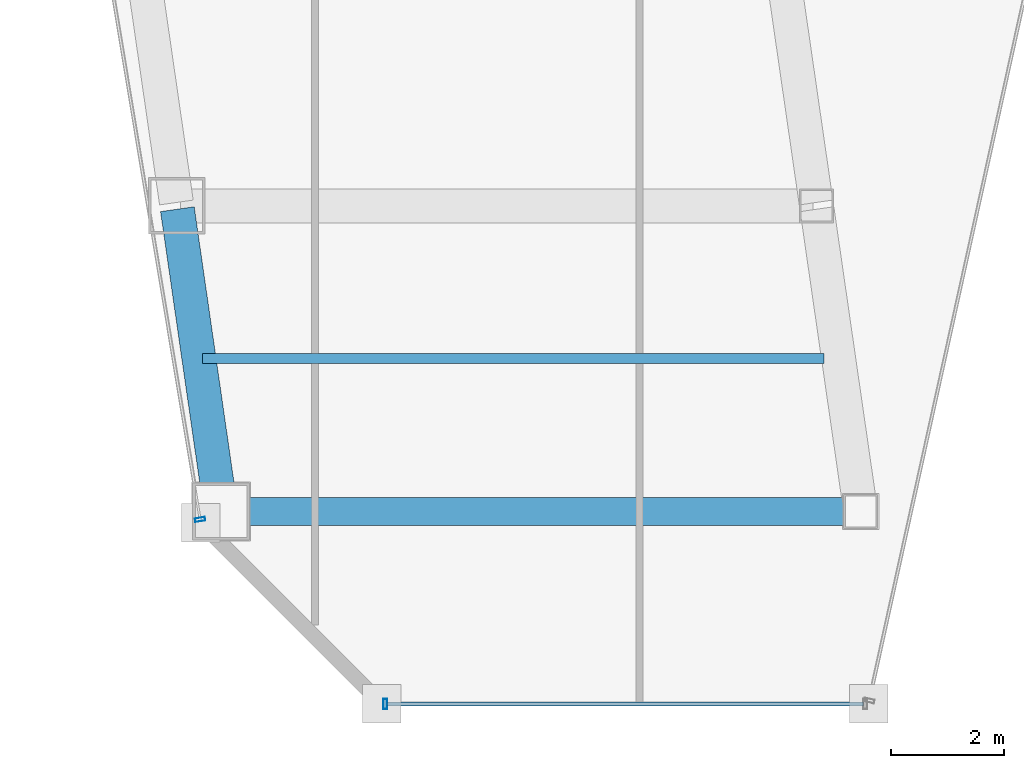
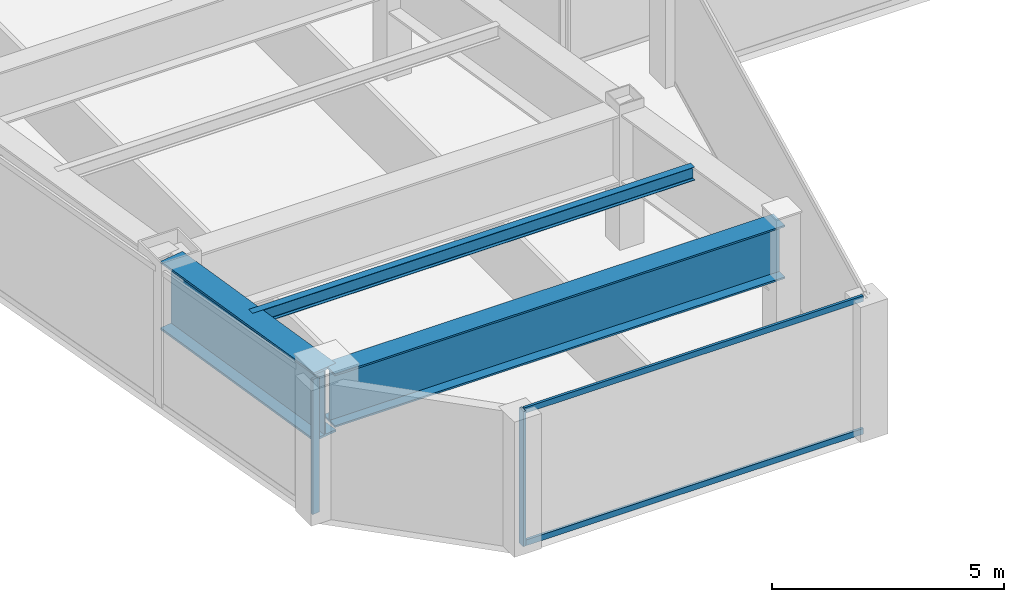
# One storey, part 2 of 37: 4 members, 3 beams, 2 elements without a shape of their own.
"""IFC4 building model written with IfcOpenShell, lengths in metres."""

from ifc_helpers import new_model, si_unit, direction, frame, origin, origin_2d, place, context, subcontext, project, spatial, hollow_rectangle, i_section, extrude, material, material_profile, profile_set, type_object, element, aggregate, save


model = new_model("IFC4")

# Units and contexts
model_context = context("Model", 3, precision=1e-05, world=origin(), true_north=direction((0.0, 1.0)))
body_context = subcontext(model_context, "Body", "Model", "MODEL_VIEW")
ifc_project = project(units=[si_unit("LENGTHUNIT", "METRE"), si_unit("AREAUNIT", "SQUARE_METRE"), si_unit("VOLUMEUNIT", "CUBIC_METRE"), si_unit("PLANEANGLEUNIT", "RADIAN"), si_unit("MASSUNIT", "GRAM", prefix="KILO")], contexts=[model_context])

# Site, building, storey
site_placement = place(None, origin())
site = spatial("IfcSite", under=ifc_project, at=site_placement, CompositionType="ELEMENT")
building_placement = place(site_placement, origin())
building = spatial("IfcBuilding", under=site, at=building_placement, Name="Saevonmaru Cultural Tower", CompositionType="ELEMENT")
storey_placement = place(building_placement, frame((0.0, 0.0, 163.800048828125)))
storey = spatial("IfcBuildingStorey", under=building, at=storey_placement, Name="L36", CompositionType="ELEMENT", Elevation=163.800048828125)

# Beams
ifc_material_1 = material(Name="Steel SM355", Category="steel")
ifc_material_profile_1 = material_profile(ifc_material_1, i_section(OverallWidth=0.175048828125, OverallDepth=0.35009765625, WebThickness=0.007080078125, FlangeThickness=0.010986328125, FilletRadius=0.012939453125, at=origin_2d()), Name="H-350x175x7x11")
ifc_profile_set_1 = profile_set([ifc_material_profile_1], Name="Steel SM355")
beam_type_1 = type_object("IfcBeamType", Name="BM-J-H350", PredefinedType="JOIST", material=ifc_profile_set_1)
beam_1_placement = place(storey_placement, frame((11.077880859375, 13.300048828125, 3.375), z_axis=(1.0, 0.0, 0.0), x_axis=(0.0, 1.0, 0.0)))
element("IfcBeam", 1, at=beam_1_placement, inside=storey, type_object=beam_type_1, Name="L36 West Wing Floor Joist 1", PredefinedType="JOIST", context=body_context, shape_type="SweptSolid", body=[
    extrude(i_section(OverallWidth=0.175048828125, OverallDepth=0.35009765625, WebThickness=0.007080078125, FlangeThickness=0.010986328125, FilletRadius=0.012939453125, at=origin_2d()), origin(), (0.0, 0.0, 1.0), 10.982177734375),
])
ifc_material_2 = material(Name="Steel HSA600 (600 MPa)", Category="steel")
ifc_material_profile_2 = material_profile(ifc_material_2, i_section(OverallWidth=0.5, OverallDepth=1.39990234375, WebThickness=0.02392578125, FlangeThickness=0.044921875, at=origin_2d()), Name="PG-1400x500x24x45")
ifc_profile_set_2 = profile_set([ifc_material_profile_2], Name="Steel HSA600 (600 MPa)")
beam_type_2 = type_object("IfcBeamType", Name="BM-TG-PG1400", PredefinedType="BEAM", material=ifc_profile_set_2)
beam_2_placement = place(storey_placement, frame((11.468017578125, 10.60009765625, 2.849853515625), z_axis=(1.0, 0.0, 0.0), x_axis=(0.0, 1.0, 0.0)))
element("IfcBeam", 2, at=beam_2_placement, inside=storey, type_object=beam_type_2, Name="L36 West Wing Transverse Girder 1", PredefinedType="BEAM", context=body_context, shape_type="SweptSolid", body=[
    extrude(i_section(OverallWidth=0.5, OverallDepth=1.39990234375, WebThickness=0.02392578125, FlangeThickness=0.044921875, at=origin_2d()), origin(), (0.0, 0.0, 1.0), 11.179931640625),
])
ifc_material_profile_3 = material_profile(ifc_material_2, i_section(OverallWidth=0.60009765625, OverallDepth=1.800048828125, WebThickness=0.028076171875, FlangeThickness=0.054931640625, at=origin_2d()), Name="PG-1800x600x28x55")
ifc_profile_set_3 = profile_set([ifc_material_profile_3], Name="Steel HSA600 (600 MPa)")
beam_type_3 = type_object("IfcBeamType", Name="BM-TG-PG1800-EXT", PredefinedType="SPANDREL", material=ifc_profile_set_3)
beam_3_placement = place(storey_placement, frame((11.3994140625, 10.659423828125, 2.64990234375), z_axis=(-0.1429328758, 0.989732384544, 0.0), x_axis=(-0.989732384544, -0.1429328758, 0.0)))
element("IfcBeam", 3, at=beam_3_placement, inside=storey, type_object=beam_type_3, Name="L36 West Splayed Spandrel 1", PredefinedType="SPANDREL", context=body_context, shape_type="SweptSolid", body=[
    extrude(i_section(OverallWidth=0.60009765625, OverallDepth=1.800048828125, WebThickness=0.028076171875, FlangeThickness=0.054931640625, at=origin_2d()), origin(), (0.0, 0.0, 1.0), 5.3359375),
])

# Curtain wall, member
ifc_material_3 = material(Name="Satin Bronze Anodised Aluminium", Category="aluminium")
curtain_wall_type = type_object("IfcCurtainWallType", Name="CW-TYP-A", PredefinedType="NOTDEFINED", material=ifc_material_3)
curtain_wall_1_placement = place(storey_placement, origin())
curtain_wall_1 = element("IfcCurtainWall", 4, at=curtain_wall_1_placement, inside=storey, type_object=curtain_wall_type, Name="L36 Unitised Curtain Wall E2", PredefinedType="NOTDEFINED")
ifc_material_profile_4 = material_profile(ifc_material_3, hollow_rectangle(XDim=0.06494140625, YDim=0.179931640625, WallThickness=0.00390625, at=origin_2d()), Name="ALU-MULL-180x65x4")
ifc_profile_set_4 = profile_set([ifc_material_profile_4], Name="Satin Bronze Anodised Aluminium")
member_type_1 = type_object("IfcMemberType", Name="ML-CW-180x65", PredefinedType="MULLION", material=ifc_profile_set_4)
member_1_placement = place(storey_placement, frame((14.308837890625, 7.199951171875, 0.0), z_axis=(0.0, 0.0, 1.0), x_axis=(1.0, 0.0, 0.0)))
member_1 = element("IfcMember", 5, at=member_1_placement, type_object=member_type_1, Name="CW-TW-L36-E2 mullion 1", PredefinedType="MULLION", context=body_context, shape_type="SweptSolid", body=[
    extrude(hollow_rectangle(XDim=0.06494140625, YDim=0.179931640625, WallThickness=0.00390625, at=origin_2d()), origin(), (0.0, 0.0, 1.0), 3.550048828125),
])

curtain_wall_2_placement = place(storey_placement, origin())
curtain_wall_2 = element("IfcCurtainWall", 6, at=curtain_wall_2_placement, inside=storey, type_object=curtain_wall_type, Name="L36 Unitised Curtain Wall E12", PredefinedType="NOTDEFINED")
member_2_placement = place(storey_placement, frame((11.0390625, 10.459228515625, 0.0), z_axis=(0.0, 0.0, 1.0), x_axis=(0.163998702345, -0.986460554523, 0.0)))
member_2 = element("IfcMember", 7, at=member_2_placement, type_object=member_type_1, Name="CW-TW-L36-E12 mullion 5", PredefinedType="MULLION", context=body_context, shape_type="SweptSolid", body=[
    extrude(hollow_rectangle(XDim=0.06494140625, YDim=0.179931640625, WallThickness=0.00390625, at=origin_2d()), origin(), (0.0, 0.0, 1.0), 3.550048828125),
])
aggregate(curtain_wall_2, [member_2])

# Member
ifc_material_profile_5 = material_profile(ifc_material_3, hollow_rectangle(XDim=0.06494140625, YDim=0.14990234375, WallThickness=0.00390625, at=origin_2d()), Name="ALU-TRAN-150x65x4")
ifc_profile_set_5 = profile_set([ifc_material_profile_5], Name="Satin Bronze Anodised Aluminium")
member_type_2 = type_object("IfcMemberType", Name="TR-CW-150x65", PredefinedType="USERDEFINED", material=ifc_profile_set_5)
member_3_placement = place(storey_placement, frame((14.34130859375, 7.199951171875, 0.032470703125), z_axis=(1.0, 0.0, 0.0), x_axis=(0.0, 1.0, 0.0)))
member_3 = element("IfcMember", 8, at=member_3_placement, type_object=member_type_2, Name="CW-TW-L36-E2 transom 1.1", ObjectType="TRANSOM", PredefinedType="USERDEFINED", context=body_context, shape_type="SweptSolid", body=[
    extrude(hollow_rectangle(XDim=0.06494140625, YDim=0.14990234375, WallThickness=0.00390625, at=origin_2d()), origin(), (0.0, 0.0, 1.0), 8.4150390625),
])

member_4_placement = place(storey_placement, frame((14.34130859375, 7.199951171875, 3.517333984375), z_axis=(1.0, 0.0, 0.0), x_axis=(0.0, 1.0, 0.0)))
member_4 = element("IfcMember", 9, at=member_4_placement, type_object=member_type_2, Name="CW-TW-L36-E2 transom 1.2", ObjectType="TRANSOM", PredefinedType="USERDEFINED", context=body_context, shape_type="SweptSolid", body=[
    extrude(hollow_rectangle(XDim=0.06494140625, YDim=0.14990234375, WallThickness=0.00390625, at=origin_2d()), origin(), (0.0, 0.0, 1.0), 8.4150390625),
])

aggregate(curtain_wall_1, [member_1, member_3, member_4])

save(model, "model.ifc")
